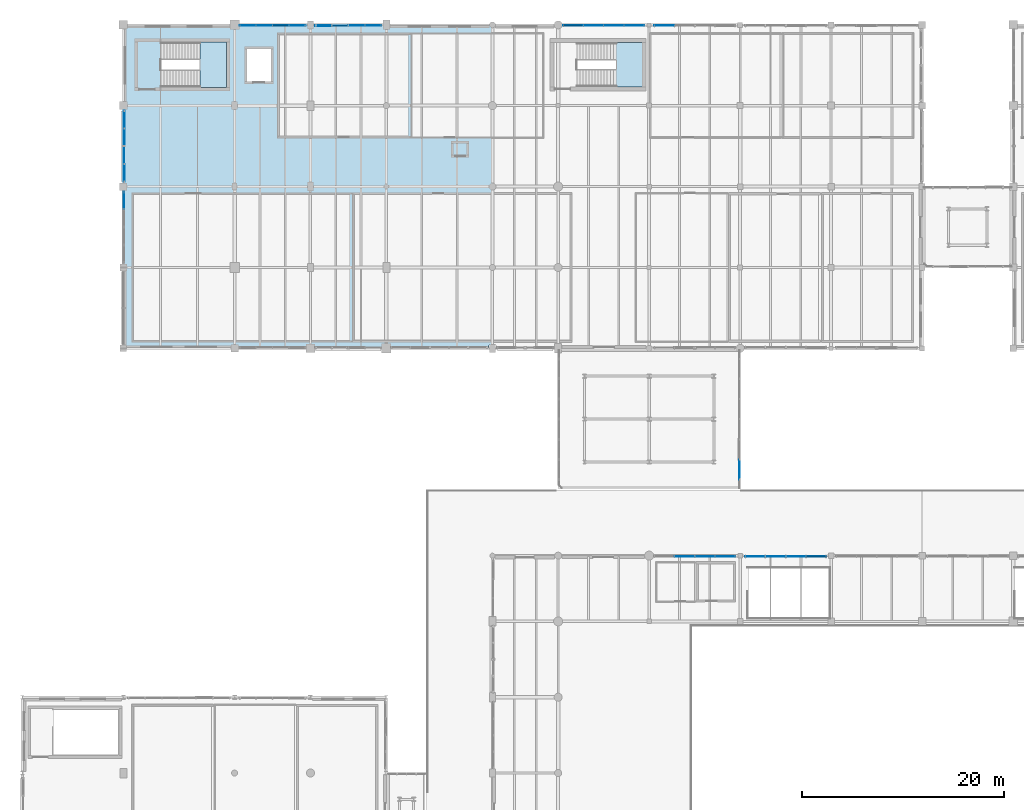
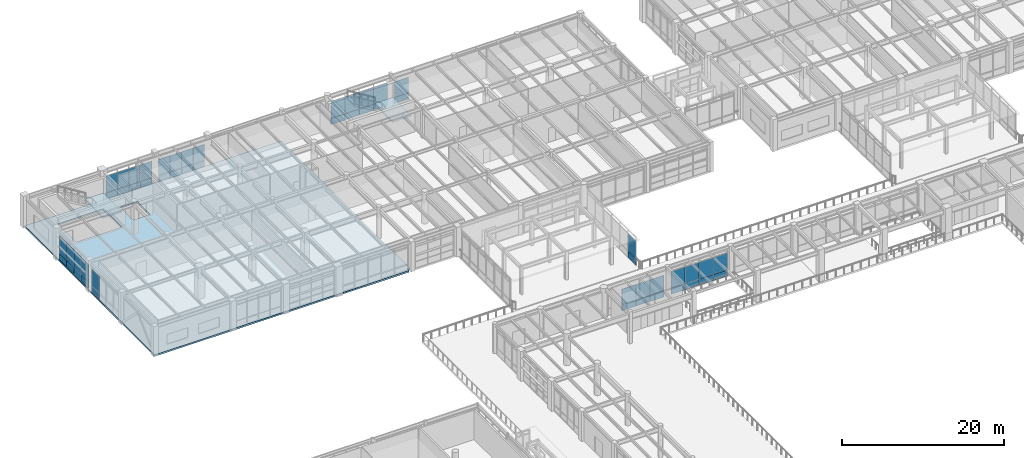
# One storey, part 159 of 200: 52 plates, 3 slabs, 11 elements without a shape of their own.
"""IFC4 building model written with IfcOpenShell, lengths in metres."""

import ifcopenshell
import ifcopenshell.guid

model = None  # the IFC model being written
_history = None  # IfcOwnerHistory: only IFC2X3 demands one
_inside = {}  # id of a spatial element -> (the spatial element, [elements in it])
_under = {}  # id of a project, library or spatial element -> (it, [spatial elements below it])
_declared = {}  # id of a project -> (the project, [libraries it declares])
_typed = {}  # id of a type object -> (the type object, [elements of that type])
_made_of = {}  # id of a material, layer set ... -> (it, [elements and type objects made of it])


def new_model(schema):
    """Start an empty IFC model of exactly this schema.

    Asked for "IFC4X3", IfcOpenShell would pick the latest addendum, in which some entities
    have other attributes; the version numbers below select the first issue.
    IFC2X3 requires an IfcOwnerHistory on every rooted entity: one is made here for all.
    """
    global model, _history
    if schema == "IFC4X3":
        model = ifcopenshell.file(schema_version=(4, 3, 0, 0))
    else:
        model = ifcopenshell.file(schema=schema)
    _inside.clear()
    _under.clear()
    _declared.clear()
    _typed.clear()
    _made_of.clear()
    _history = None
    if model.schema == "IFC2X3":
        org = make("IfcOrganization", Name="unknown")
        user = make(
            "IfcPersonAndOrganization",
            ThePerson=make("IfcPerson", FamilyName="unknown"),
            TheOrganization=org,
        )
        app = make(
            "IfcApplication",
            ApplicationDeveloper=org,
            Version="unknown",
            ApplicationFullName="unknown",
            ApplicationIdentifier="unknown",
        )
        _history = make(
            "IfcOwnerHistory",
            OwningUser=user,
            OwningApplication=app,
            ChangeAction="ADDED",
            CreationDate=0,
        )
    return model


def make(cls, **values):
    """One entity of the class cls with the attributes given. An attribute that is None is left unset."""
    return model.create_entity(
        cls, **{name: value for name, value in values.items() if value is not None}
    )


def rooted(cls, **values):
    """An entity with a GlobalId (a new one), such as an element, a storey or a relation."""
    return make(cls, GlobalId=ifcopenshell.guid.new(), OwnerHistory=_history, **values)


def si_unit(unit_type, name, prefix=None):
    """IfcSIUnit, for example si_unit("LENGTHUNIT", "METRE", prefix="MILLI")."""
    return make("IfcSIUnit", UnitType=unit_type, Prefix=prefix, Name=name)


def assignment(units):
    """IfcUnitAssignment: the units of a project."""
    return None if units is None else make("IfcUnitAssignment", Units=units)


def point(xyz):
    """IfcCartesianPoint."""
    return None if xyz is None else make("IfcCartesianPoint", Coordinates=xyz)


def direction(xyz):
    """IfcDirection."""
    return None if xyz is None else make("IfcDirection", DirectionRatios=xyz)


def frame(location, z_axis=None, x_axis=None):
    """IfcAxis2Placement3D, a coordinate frame: its origin and axes. An axis left out is left unset."""
    return make(
        "IfcAxis2Placement3D",
        Location=point(location),
        Axis=direction(z_axis),
        RefDirection=direction(x_axis),
    )


def frame_2d(location, x_axis=None):
    """IfcAxis2Placement2D, a coordinate frame in the plane: its origin and x axis."""
    return make(
        "IfcAxis2Placement2D", Location=point(location), RefDirection=direction(x_axis)
    )


def origin():
    """The frame at (0, 0, 0) with its axes left unset."""
    return frame((0.0, 0.0, 0.0))


def origin_2d():
    """The frame at (0, 0) in the plane with its x axis left unset."""
    return frame_2d((0.0, 0.0))


def place(relative_to, where):
    """IfcLocalPlacement: puts the frame where relative to a parent placement (None: the world)."""
    return make(
        "IfcLocalPlacement", PlacementRelTo=relative_to, RelativePlacement=where
    )


def context(
    kind, dimensions, precision=None, world=None, true_north=None, identifier=None
):
    """IfcGeometricRepresentationContext, for example the 3D "Model" context."""
    return make(
        "IfcGeometricRepresentationContext",
        ContextIdentifier=identifier,
        ContextType=kind,
        CoordinateSpaceDimension=dimensions,
        Precision=precision,
        WorldCoordinateSystem=world,
        TrueNorth=true_north,
    )


def subcontext(parent, identifier, kind, view, scale=None):
    """IfcGeometricRepresentationSubContext, for example "Body" below "Model"."""
    return make(
        "IfcGeometricRepresentationSubContext",
        ContextIdentifier=identifier,
        ContextType=kind,
        ParentContext=parent,
        TargetScale=scale,
        TargetView=view,
    )


def project(units=None, contexts=None):
    """IfcProject with its units and contexts."""
    return rooted(
        "IfcProject",
        Name="project",
        RepresentationContexts=contexts,
        UnitsInContext=assignment(units),
    )


def spatial(cls, under=None, at=None, **own):
    """A site, building, storey or space (cls), placed at a placement, below another one or the project."""
    s = rooted(cls, ObjectPlacement=at, **own)
    if under is not None:
        _under.setdefault(under.id(), (under, []))[1].append(s)
    return s


def polyline(points):
    """IfcPolyline through the points."""
    return make("IfcPolyline", Points=[point(p) for p in points])


def profile(cls, at=None, kind="AREA", **sizes):
    """A parametric profile (cls). Its sizes go by their IFC names, for example OverallWidth=200.0."""
    return make(cls, ProfileType=kind, Position=at, **sizes)


def rectangle(**sizes):
    """IfcRectangleProfileDef."""
    return profile("IfcRectangleProfileDef", **sizes)


def outline(outer, holes=None, kind="AREA"):
    """IfcArbitraryClosedProfileDef: a profile drawn as a closed curve; with holes, ...WithVoids."""
    if holes is None:
        return make("IfcArbitraryClosedProfileDef", ProfileType=kind, OuterCurve=outer)
    return make(
        "IfcArbitraryProfileDefWithVoids",
        ProfileType=kind,
        OuterCurve=outer,
        InnerCurves=holes,
    )


def extrude(swept, where, along, depth):
    """IfcExtrudedAreaSolid: the profile swept, set in the frame where, extruded along a direction by depth."""
    return make(
        "IfcExtrudedAreaSolid",
        SweptArea=swept,
        Position=where,
        ExtrudedDirection=direction(along),
        Depth=depth,
    )


def shape(context_of_items, identifier, shape_type, items):
    """IfcShapeRepresentation: the items that make up one representation, for example the "Body"."""
    return make(
        "IfcShapeRepresentation",
        ContextOfItems=context_of_items,
        RepresentationIdentifier=identifier,
        RepresentationType=shape_type,
        Items=items,
    )


def material(Name=None, Category=None):
    """IfcMaterial."""
    return make("IfcMaterial", Name=Name, Category=Category)


def layer(
    of_material, thickness, ventilated=None, Name=None, Category=None, Priority=None
):
    """IfcMaterialLayer: one layer of a wall or slab, of a material (None: an air gap)."""
    return make(
        "IfcMaterialLayer",
        Material=of_material,
        LayerThickness=thickness,
        IsVentilated=ventilated,
        Name=Name,
        Category=Category,
        Priority=Priority,
    )


def layer_set(layers, Name=None):
    """IfcMaterialLayerSet."""
    return make("IfcMaterialLayerSet", MaterialLayers=layers, LayerSetName=Name)


def made_of(thing, what):
    """Note that an element or type object is made of a material, layer set ...; save() writes the relation."""
    if what is not None:
        _made_of.setdefault(what.id(), (what, []))[1].append(thing)
    return thing


def type_object(cls, material=None, **own):
    """A type object (cls), such as IfcWallType, which elements share."""
    return made_of(rooted(cls, **own), material)


def element(
    cls,
    number,
    at=None,
    inside=None,
    cuts=None,
    type_object=None,
    material=None,
    context=None,
    identifier="Body",
    shape_type=None,
    held_by="IfcProductDefinitionShape",
    body=None,
    shapes=None,
    **own,
):
    """One element of the class cls, such as IfcWall. Its Tag is "e" and its number.

    at: its placement. inside: the storey or other place that contains it. cuts: it is an
    opening in that element (IfcRelVoidsElement). A single representation is given by context,
    identifier, shape_type and body (its items); several are given by shapes. held_by: the class
    of the entity that holds the representations. save() writes the other relations.
    """
    e = rooted(cls, Tag="e%d" % number, ObjectPlacement=at, **own)
    if body is not None:
        shapes = [shape(context, identifier, shape_type, body)]
    if shapes is not None:
        e.Representation = make(held_by, Representations=shapes)
    if inside is not None:
        _inside.setdefault(inside.id(), (inside, []))[1].append(e)
    if cuts is not None:
        rooted(
            "IfcRelVoidsElement", RelatingBuildingElement=cuts, RelatedOpeningElement=e
        )
    if type_object is not None:
        _typed.setdefault(type_object.id(), (type_object, []))[1].append(e)
    return made_of(e, material)


def aggregate(whole, parts):
    """IfcRelAggregates: a whole, such as a stair, and the parts it consists of."""
    return rooted("IfcRelAggregates", RelatingObject=whole, RelatedObjects=parts)


def save(model, path):
    """Write the relations noted so far, then the file.

    IfcRelAggregates (storeys below a building ...), IfcRelContainedInSpatialStructure (elements
    in a storey), IfcRelDefinesByType, IfcRelAssociatesMaterial and IfcRelDeclares: one each for
    every whole, place, type object, material and project.
    """
    for whole, parts in _under.values():
        aggregate(whole, parts)
    for where, things in _inside.values():
        rooted(
            "IfcRelContainedInSpatialStructure",
            RelatedElements=things,
            RelatingStructure=where,
        )
    for kind, things in _typed.values():
        rooted("IfcRelDefinesByType", RelatedObjects=things, RelatingType=kind)
    for what, things in _made_of.values():
        rooted("IfcRelAssociatesMaterial", RelatedObjects=things, RelatingMaterial=what)
    for by, libraries in _declared.values():
        rooted("IfcRelDeclares", RelatingContext=by, RelatedDefinitions=libraries)
    model.write(path)


model = new_model("IFC4")

# Units and contexts
model_context = context("Model", 3, precision=1e-05, world=origin(), true_north=direction((0.0, 1.0)))
body_context = subcontext(model_context, "Body", "Model", "MODEL_VIEW")
ifc_project = project(units=[si_unit("LENGTHUNIT", "METRE"), si_unit("AREAUNIT", "SQUARE_METRE"), si_unit("VOLUMEUNIT", "CUBIC_METRE"), si_unit("PLANEANGLEUNIT", "RADIAN"), si_unit("MASSUNIT", "GRAM", prefix="KILO"), si_unit("THERMODYNAMICTEMPERATUREUNIT", "KELVIN"), si_unit("POWERUNIT", "WATT")], contexts=[model_context])

# Site, building, storey
site_placement = place(None, origin())
site = spatial("IfcSite", under=ifc_project, at=site_placement, CompositionType="ELEMENT")
building_placement = place(site_placement, origin())
building = spatial("IfcBuilding", under=site, at=building_placement, Name="Tepalcoro Natatorium and Aquatics Centre", CompositionType="ELEMENT")
storey_placement = place(building_placement, frame((0.0, 0.0, 5.39990234375)))
storey = spatial("IfcBuildingStorey", under=building, at=storey_placement, Name="L01", CompositionType="ELEMENT", Elevation=5.39990234375)

# Curtain wall, plate
ifc_material_1 = material(Name="Bronze-Anodised Extruded Aluminium Alloy EN AW-6063 T6", Category="aluminium")
curtain_wall_type_1 = type_object("IfcCurtainWallType", Name="CW_LEAN_T2_NS", PredefinedType="USERDEFINED", material=ifc_material_1)
curtain_wall_1_placement = place(storey_placement, origin())
curtain_wall_1 = element("IfcCurtainWall", 1, at=curtain_wall_1_placement, inside=storey, type_object=curtain_wall_type_1, Name="V1 L01 N Unitised Curtain Wall Bay 3", ObjectType="FACETED SOLAR GLAZING", PredefinedType="USERDEFINED")
ifc_material_2 = material(Name="Solar-Control Bronze Tempered Low-E Double Glazing", Category="glass")
ifc_layer_1 = layer(ifc_material_2, 0.048095703125)
ifc_layer_set_1 = layer_set([ifc_layer_1], Name="Solar-Control Bronze Tempered Low-E Double Glazing")
plate_type_1 = type_object("IfcPlateType", Name="PL_ACOUSTIC_IGU_48", PredefinedType="CURTAIN_PANEL", material=ifc_layer_set_1)
plate_1_placement = place(storey_placement, frame((65.4951171875, 65.419921875, 0.9599609375), z_axis=(0.0, 0.0, 1.0), x_axis=(1.0, 0.0, 0.0)))
plate_1 = element("IfcPlate", 2, at=plate_1_placement, type_object=plate_type_1, Name="CW_LEAN_T2_NS Insulated Glazing Unit", PredefinedType="CURTAIN_PANEL", context=body_context, shape_type="SweptSolid", body=[
    extrude(rectangle(XDim=1.989990234375, YDim=0.048095703125, at=origin_2d()), origin(), (0.0, 0.0, 1.0), 2.318115234375),
])

# Curtain wall, plates
curtain_wall_type_2 = type_object("IfcCurtainWallType", Name="CW_LEAN_T2_EW", PredefinedType="USERDEFINED", material=ifc_material_1)
curtain_wall_2_placement = place(storey_placement, origin())
curtain_wall_2 = element("IfcCurtainWall", 3, at=curtain_wall_2_placement, inside=storey, type_object=curtain_wall_type_2, Name="V1 L01 N Unitised Curtain Wall Bay 4", ObjectType="FACETED SOLAR GLAZING", PredefinedType="USERDEFINED")
plate_2_placement = place(storey_placement, frame((72.485107421875, 65.419921875, 0.9599609375), z_axis=(0.0, 0.0, 1.0), x_axis=(1.0, 0.0, 0.0)))
plate_2 = element("IfcPlate", 4, at=plate_2_placement, type_object=plate_type_1, Name="CW_LEAN_T2_EW Insulated Glazing Unit", PredefinedType="CURTAIN_PANEL", context=body_context, shape_type="SweptSolid", body=[
    extrude(rectangle(XDim=1.989990234375, YDim=0.048095703125, at=origin_2d()), origin(), (0.0, 0.0, 1.0), 2.51708984375),
])
plate_3_placement = place(storey_placement, frame((78.514892578125, 65.419921875, 0.9599609375), z_axis=(0.0, 0.0, 1.0), x_axis=(1.0, 0.0, 0.0)))
plate_3 = element("IfcPlate", 5, at=plate_3_placement, type_object=plate_type_1, Name="CW_LEAN_T2_EW Insulated Glazing Unit", PredefinedType="CURTAIN_PANEL", context=body_context, shape_type="SweptSolid", body=[
    extrude(rectangle(XDim=1.989990234375, YDim=0.048095703125, at=origin_2d()), origin(), (0.0, 0.0, 1.0), 2.51708984375),
])

# Curtain wall, plate
curtain_wall_type_3 = type_object("IfcCurtainWallType", Name="CW_LEAN_T1_EW", PredefinedType="USERDEFINED", material=ifc_material_1)
curtain_wall_3_placement = place(storey_placement, origin())
curtain_wall_3 = element("IfcCurtainWall", 6, at=curtain_wall_3_placement, inside=storey, type_object=curtain_wall_type_3, Name="V4 L01 N Unitised Curtain Wall Bay 2", ObjectType="FACETED SOLAR GLAZING", PredefinedType="USERDEFINED")
plate_4_placement = place(storey_placement, frame((23.9326171875, 117.9287109375, 0.9599609375), z_axis=(0.0, 0.0, 1.0), x_axis=(1.0, 0.0, 0.0)))
plate_4 = element("IfcPlate", 7, at=plate_4_placement, type_object=plate_type_1, Name="CW_LEAN_T1_EW Insulated Glazing Unit", PredefinedType="CURTAIN_PANEL", context=body_context, shape_type="SweptSolid", body=[
    extrude(rectangle(XDim=1.614990234375, YDim=0.048095703125, at=origin_2d()), origin(), (0.0, 0.0, 1.0), 2.493896484375),
])

# Curtain wall, plates
curtain_wall_4_placement = place(storey_placement, origin())
curtain_wall_4 = element("IfcCurtainWall", 8, at=curtain_wall_4_placement, inside=storey, type_object=curtain_wall_type_1, Name="V4 L01 N Unitised Curtain Wall Bay 3", ObjectType="FACETED SOLAR GLAZING", PredefinedType="USERDEFINED")
plate_5_placement = place(storey_placement, frame((29.797607421875, 117.919921875, 0.960205078125), z_axis=(0.0, 0.0, 1.0), x_axis=(1.0, 0.0, 0.0)))
plate_5 = element("IfcPlate", 9, at=plate_5_placement, type_object=plate_type_1, Name="CW_LEAN_T2_NS Insulated Glazing Unit", PredefinedType="CURTAIN_PANEL", context=body_context, shape_type="SweptSolid", body=[
    extrude(rectangle(XDim=1.614990234375, YDim=0.048095703125, at=origin_2d()), origin(), (0.0, 0.0, 1.0), 2.41796875),
])
plate_6_placement = place(storey_placement, frame((34.702392578125, 117.919921875, 0.960205078125), z_axis=(0.0, 0.0, 1.0), x_axis=(1.0, 0.0, 0.0)))
plate_6 = element("IfcPlate", 10, at=plate_6_placement, type_object=plate_type_1, Name="CW_LEAN_T2_NS Insulated Glazing Unit", PredefinedType="CURTAIN_PANEL", context=body_context, shape_type="SweptSolid", body=[
    extrude(rectangle(XDim=1.614990234375, YDim=0.048095703125, at=origin_2d()), origin(), (0.0, 0.0, 1.0), 2.41796875),
])

# Curtain wall, plate
curtain_wall_type_4 = type_object("IfcCurtainWallType", Name="CW_V2_DIVING", PredefinedType="USERDEFINED", material=ifc_material_1)
curtain_wall_5_placement = place(storey_placement, origin())
curtain_wall_5 = element("IfcCurtainWall", 11, at=curtain_wall_5_placement, inside=storey, type_object=curtain_wall_type_4, Name="V4 L01 N Unitised Curtain Wall Bay 6", ObjectType="FACETED SOLAR GLAZING", PredefinedType="USERDEFINED")
plate_7_placement = place(storey_placement, frame((58.5048828125, 117.93505859375, 0.9599609375), z_axis=(0.0, 0.0, 1.0), x_axis=(1.0, 0.0, 0.0)))
plate_7 = element("IfcPlate", 12, at=plate_7_placement, type_object=plate_type_1, Name="CW_V2_DIVING Insulated Glazing Unit", PredefinedType="CURTAIN_PANEL", context=body_context, shape_type="SweptSolid", body=[
    extrude(rectangle(XDim=1.989990234375, YDim=0.048095703125, at=origin_2d()), origin(), (0.0, 0.0, 1.0), 2.493896484375),
])

curtain_wall_type_5 = type_object("IfcCurtainWallType", Name="CW_LEAN_T1_NS", PredefinedType="USERDEFINED", material=ifc_material_1)
curtain_wall_6_placement = place(storey_placement, origin())
curtain_wall_6 = element("IfcCurtainWall", 13, at=curtain_wall_6_placement, inside=storey, type_object=curtain_wall_type_5, Name="V4 L01 W Unitised Curtain Wall Bay 2", ObjectType="FACETED SOLAR GLAZING", PredefinedType="USERDEFINED")
plate_8_placement = place(storey_placement, frame((10.06494140625, 100.639892578125, 0.960205078125), z_axis=(0.0, 0.0, 1.0), x_axis=(1.0, 0.0, 0.0)))
plate_8 = element("IfcPlate", 14, at=plate_8_placement, type_object=plate_type_1, Name="CW_LEAN_T1_NS Insulated Glazing Unit", PredefinedType="CURTAIN_PANEL", context=body_context, shape_type="SweptSolid", body=[
    extrude(rectangle(XDim=0.048095703125, YDim=1.739990234375, at=origin_2d()), origin(), (0.0, 0.0, 1.0), 2.41796875),
])

curtain_wall_7_placement = place(storey_placement, origin())
curtain_wall_7 = element("IfcCurtainWall", 15, at=curtain_wall_7_placement, inside=storey, type_object=curtain_wall_type_3, Name="V4 L01 W Unitised Curtain Wall Bay 3", ObjectType="FACETED SOLAR GLAZING", PredefinedType="USERDEFINED")
plate_9_placement = place(storey_placement, frame((10.080078125, 106.8798828125, 0.9599609375), z_axis=(0.0, 0.0, 1.0), x_axis=(1.0, 0.0, 0.0)))
plate_9 = element("IfcPlate", 16, at=plate_9_placement, type_object=plate_type_1, Name="CW_LEAN_T1_EW Insulated Glazing Unit", PredefinedType="CURTAIN_PANEL", context=body_context, shape_type="SweptSolid", body=[
    extrude(rectangle(XDim=0.048095703125, YDim=1.739990234375, at=origin_2d()), origin(), (0.0, 0.0, 1.0), 2.616943359375),
])

# Plate
ifc_layer_2 = layer(ifc_material_2, 0.028076171875)
ifc_layer_set_2 = layer_set([ifc_layer_2], Name="Solar-Control Bronze Tempered Low-E Double Glazing")
plate_type_2 = type_object("IfcPlateType", Name="PL_BRONZE_IGU_28", PredefinedType="CURTAIN_PANEL", material=ifc_layer_set_2)
plate_10_placement = place(storey_placement, frame((69.514892578125, 65.419921875, 0.9599609375), z_axis=(0.0, 0.0, 1.0), x_axis=(1.0, 0.0, 0.0)))
plate_10 = element("IfcPlate", 17, at=plate_10_placement, type_object=plate_type_2, Name="CW_LEAN_T2_NS Insulated Glazing Unit", PredefinedType="CURTAIN_PANEL", context=body_context, shape_type="SweptSolid", body=[
    extrude(rectangle(XDim=1.989990234375, YDim=0.028076171875, at=origin_2d()), origin(), (0.0, 0.0, 1.0), 2.318115234375),
])

plate_11_placement = place(storey_placement, frame((76.5048828125, 65.419921875, 0.9599609375), z_axis=(0.0, 0.0, 1.0), x_axis=(1.0, 0.0, 0.0)))
plate_11 = element("IfcPlate", 18, at=plate_11_placement, type_object=plate_type_2, Name="CW_LEAN_T2_EW Insulated Glazing Unit", PredefinedType="CURTAIN_PANEL", context=body_context, shape_type="SweptSolid", body=[
    extrude(rectangle(XDim=1.989990234375, YDim=0.028076171875, at=origin_2d()), origin(), (0.0, 0.0, 1.0), 2.51708984375),
])

plate_12_placement = place(storey_placement, frame((22.297607421875, 117.9287109375, 0.9599609375), z_axis=(0.0, 0.0, 1.0), x_axis=(1.0, 0.0, 0.0)))
plate_12 = element("IfcPlate", 19, at=plate_12_placement, type_object=plate_type_2, Name="CW_LEAN_T1_EW Insulated Glazing Unit", PredefinedType="CURTAIN_PANEL", context=body_context, shape_type="SweptSolid", body=[
    extrude(rectangle(XDim=1.614990234375, YDim=0.028076171875, at=origin_2d()), origin(), (0.0, 0.0, 1.0), 2.493896484375),
])

plate_13_placement = place(storey_placement, frame((27.202392578125, 117.9287109375, 0.9599609375), z_axis=(0.0, 0.0, 1.0), x_axis=(1.0, 0.0, 0.0)))
plate_13 = element("IfcPlate", 20, at=plate_13_placement, type_object=plate_type_2, Name="CW_LEAN_T1_EW Insulated Glazing Unit", PredefinedType="CURTAIN_PANEL", context=body_context, shape_type="SweptSolid", body=[
    extrude(rectangle(XDim=1.614990234375, YDim=0.028076171875, at=origin_2d()), origin(), (0.0, 0.0, 1.0), 2.493896484375),
])

plate_14_placement = place(storey_placement, frame((33.0673828125, 117.919921875, 0.960205078125), z_axis=(0.0, 0.0, 1.0), x_axis=(1.0, 0.0, 0.0)))
plate_14 = element("IfcPlate", 21, at=plate_14_placement, type_object=plate_type_2, Name="CW_LEAN_T2_NS Insulated Glazing Unit", PredefinedType="CURTAIN_PANEL", context=body_context, shape_type="SweptSolid", body=[
    extrude(rectangle(XDim=1.614990234375, YDim=0.028076171875, at=origin_2d()), origin(), (0.0, 0.0, 1.0), 2.41796875),
])

plate_15_placement = place(storey_placement, frame((56.4951171875, 117.93505859375, 0.9599609375), z_axis=(0.0, 0.0, 1.0), x_axis=(1.0, 0.0, 0.0)))
plate_15 = element("IfcPlate", 22, at=plate_15_placement, type_object=plate_type_2, Name="CW_V2_DIVING Insulated Glazing Unit", PredefinedType="CURTAIN_PANEL", context=body_context, shape_type="SweptSolid", body=[
    extrude(rectangle(XDim=1.989990234375, YDim=0.028076171875, at=origin_2d()), origin(), (0.0, 0.0, 1.0), 2.493896484375),
])

# Curtain wall, plate
curtain_wall_type_6 = type_object("IfcCurtainWallType", Name="CW_V3_FOYER", PredefinedType="USERDEFINED", material=ifc_material_1)
curtain_wall_8_placement = place(storey_placement, origin())
curtain_wall_8 = element("IfcCurtainWall", 23, at=curtain_wall_8_placement, inside=storey, type_object=curtain_wall_type_6, Name="V4 L01 N Unitised Curtain Wall Bay 7", ObjectType="UNITISED STOREFRONT", PredefinedType="USERDEFINED")
plate_16_placement = place(storey_placement, frame((63.485107421875, 117.919921875, 0.960205078125), z_axis=(0.0, 0.0, 1.0), x_axis=(1.0, 0.0, 0.0)))
plate_16 = element("IfcPlate", 24, at=plate_16_placement, type_object=plate_type_2, Name="CW_V3_FOYER Insulated Glazing Unit", PredefinedType="CURTAIN_PANEL", context=body_context, shape_type="SweptSolid", body=[
    extrude(rectangle(XDim=1.989990234375, YDim=0.028076171875, at=origin_2d()), origin(), (0.0, 0.0, 1.0), 2.337890625),
])

# Plate
plate_17_placement = place(storey_placement, frame((10.080078125, 105.1201171875, 0.9599609375), z_axis=(0.0, 0.0, 1.0), x_axis=(1.0, 0.0, 0.0)))
plate_17 = element("IfcPlate", 25, at=plate_17_placement, type_object=plate_type_2, Name="CW_LEAN_T1_EW Insulated Glazing Unit", PredefinedType="CURTAIN_PANEL", context=body_context, shape_type="SweptSolid", body=[
    extrude(rectangle(XDim=0.028076171875, YDim=1.739990234375, at=origin_2d()), origin(), (0.0, 0.0, 1.0), 2.616943359375),
])

ifc_material_3 = material(Name="Jalisco Cantera Rosa Volcanic Tuff Ashlar Masonry", Category="masonry")
ifc_layer_3 = layer(ifc_material_3, 0.090087890625)
ifc_layer_set_3 = layer_set([ifc_layer_3], Name="Jalisco Cantera Rosa Volcanic Tuff Ashlar Masonry")
plate_type_3 = type_object("IfcPlateType", Name="PL_CANTERA_90", PredefinedType="SHEET", material=ifc_layer_set_3)
plate_18_placement = place(storey_placement, frame((69.514892578125, 65.419921875, 0.044921875), z_axis=(0.0, 0.0, 1.0), x_axis=(1.0, 0.0, 0.0)))
plate_18 = element("IfcPlate", 26, at=plate_18_placement, type_object=plate_type_3, Name="CW_LEAN_T2_NS Spandrel & Screen Panel", PredefinedType="SHEET", context=body_context, shape_type="SweptSolid", body=[
    extrude(rectangle(XDim=1.989990234375, YDim=0.090087890625, at=origin_2d()), origin(), (0.0, 0.0, 1.0), 0.909912109375),
])

plate_19_placement = place(storey_placement, frame((76.5048828125, 65.419921875, 0.044921875), z_axis=(0.0, 0.0, 1.0), x_axis=(1.0, 0.0, 0.0)))
plate_19 = element("IfcPlate", 27, at=plate_19_placement, type_object=plate_type_3, Name="CW_LEAN_T2_EW Spandrel & Screen Panel", PredefinedType="SHEET", context=body_context, shape_type="SweptSolid", body=[
    extrude(rectangle(XDim=1.989990234375, YDim=0.090087890625, at=origin_2d()), origin(), (0.0, 0.0, 1.0), 0.909912109375),
])

plate_20_placement = place(storey_placement, frame((23.9326171875, 117.9287109375, 0.044921875), z_axis=(0.0, 0.0, 1.0), x_axis=(1.0, 0.0, 0.0)))
plate_20 = element("IfcPlate", 28, at=plate_20_placement, type_object=plate_type_3, Name="CW_LEAN_T1_EW Spandrel & Screen Panel", PredefinedType="SHEET", context=body_context, shape_type="SweptSolid", body=[
    extrude(rectangle(XDim=1.614990234375, YDim=0.090087890625, at=origin_2d()), origin(), (0.0, 0.0, 1.0), 0.909912109375),
])

plate_21_placement = place(storey_placement, frame((29.797607421875, 117.919921875, 0.044921875), z_axis=(0.0, 0.0, 1.0), x_axis=(1.0, 0.0, 0.0)))
plate_21 = element("IfcPlate", 29, at=plate_21_placement, type_object=plate_type_3, Name="CW_LEAN_T2_NS Spandrel & Screen Panel", PredefinedType="SHEET", context=body_context, shape_type="SweptSolid", body=[
    extrude(rectangle(XDim=1.614990234375, YDim=0.090087890625, at=origin_2d()), origin(), (0.0, 0.0, 1.0), 0.909912109375),
])

plate_22_placement = place(storey_placement, frame((10.080078125, 108.639892578125, 0.044921875), z_axis=(0.0, 0.0, 1.0), x_axis=(1.0, 0.0, 0.0)))
plate_22 = element("IfcPlate", 30, at=plate_22_placement, type_object=plate_type_3, Name="CW_LEAN_T1_EW Spandrel & Screen Panel", PredefinedType="SHEET", context=body_context, shape_type="SweptSolid", body=[
    extrude(rectangle(XDim=0.090087890625, YDim=1.739990234375, at=origin_2d()), origin(), (0.0, 0.0, 1.0), 0.909912109375),
])

ifc_material_4 = material(Name="Clear Tempered Low-E Safety Glazing", Category="glass")
ifc_layer_4 = layer(ifc_material_4, 0.011962890625)
ifc_layer_set_4 = layer_set([ifc_layer_4], Name="Clear Tempered Low-E Safety Glazing")
plate_type_4 = type_object("IfcPlateType", Name="PL_GLASS_12", PredefinedType="CURTAIN_PANEL", material=ifc_layer_set_4)
plate_23_placement = place(storey_placement, frame((67.5048828125, 65.419921875, 0.9599609375), z_axis=(0.0, 0.0, 1.0), x_axis=(1.0, 0.0, 0.0)))
plate_23 = element("IfcPlate", 31, at=plate_23_placement, type_object=plate_type_4, Name="CW_LEAN_T2_NS Insulated Glazing Unit", PredefinedType="CURTAIN_PANEL", context=body_context, shape_type="SweptSolid", body=[
    extrude(rectangle(XDim=1.989990234375, YDim=0.011962890625, at=origin_2d()), origin(), (0.0, 0.0, 1.0), 2.318115234375),
])

plate_24_placement = place(storey_placement, frame((74.4951171875, 65.419921875, 0.9599609375), z_axis=(0.0, 0.0, 1.0), x_axis=(1.0, 0.0, 0.0)))
plate_24 = element("IfcPlate", 32, at=plate_24_placement, type_object=plate_type_4, Name="CW_LEAN_T2_EW Insulated Glazing Unit", PredefinedType="CURTAIN_PANEL", context=body_context, shape_type="SweptSolid", body=[
    extrude(rectangle(XDim=1.989990234375, YDim=0.011962890625, at=origin_2d()), origin(), (0.0, 0.0, 1.0), 2.51708984375),
])

plate_25_placement = place(storey_placement, frame((25.5673828125, 117.9287109375, 0.9599609375), z_axis=(0.0, 0.0, 1.0), x_axis=(1.0, 0.0, 0.0)))
plate_25 = element("IfcPlate", 33, at=plate_25_placement, type_object=plate_type_4, Name="CW_LEAN_T1_EW Insulated Glazing Unit", PredefinedType="CURTAIN_PANEL", context=body_context, shape_type="SweptSolid", body=[
    extrude(rectangle(XDim=1.614990234375, YDim=0.011962890625, at=origin_2d()), origin(), (0.0, 0.0, 1.0), 2.493896484375),
])

plate_26_placement = place(storey_placement, frame((31.4326171875, 117.919921875, 0.960205078125), z_axis=(0.0, 0.0, 1.0), x_axis=(1.0, 0.0, 0.0)))
plate_26 = element("IfcPlate", 34, at=plate_26_placement, type_object=plate_type_4, Name="CW_LEAN_T2_NS Insulated Glazing Unit", PredefinedType="CURTAIN_PANEL", context=body_context, shape_type="SweptSolid", body=[
    extrude(rectangle(XDim=1.614990234375, YDim=0.011962890625, at=origin_2d()), origin(), (0.0, 0.0, 1.0), 2.41796875),
])

plate_27_placement = place(storey_placement, frame((54.485107421875, 117.93505859375, 0.9599609375), z_axis=(0.0, 0.0, 1.0), x_axis=(1.0, 0.0, 0.0)))
plate_27 = element("IfcPlate", 35, at=plate_27_placement, type_object=plate_type_4, Name="CW_V2_DIVING Insulated Glazing Unit", PredefinedType="CURTAIN_PANEL", context=body_context, shape_type="SweptSolid", body=[
    extrude(rectangle(XDim=1.989990234375, YDim=0.011962890625, at=origin_2d()), origin(), (0.0, 0.0, 1.0), 2.493896484375),
])

plate_28_placement = place(storey_placement, frame((60.514892578125, 117.93505859375, 0.9599609375), z_axis=(0.0, 0.0, 1.0), x_axis=(1.0, 0.0, 0.0)))
plate_28 = element("IfcPlate", 36, at=plate_28_placement, type_object=plate_type_4, Name="CW_V2_DIVING Insulated Glazing Unit", PredefinedType="CURTAIN_PANEL", context=body_context, shape_type="SweptSolid", body=[
    extrude(rectangle(XDim=1.989990234375, YDim=0.011962890625, at=origin_2d()), origin(), (0.0, 0.0, 1.0), 2.493896484375),
])

plate_29_placement = place(storey_placement, frame((10.080078125, 103.360107421875, 0.9599609375), z_axis=(0.0, 0.0, 1.0), x_axis=(1.0, 0.0, 0.0)))
plate_29 = element("IfcPlate", 37, at=plate_29_placement, type_object=plate_type_4, Name="CW_LEAN_T1_EW Insulated Glazing Unit", PredefinedType="CURTAIN_PANEL", context=body_context, shape_type="SweptSolid", body=[
    extrude(rectangle(XDim=0.011962890625, YDim=1.739990234375, at=origin_2d()), origin(), (0.0, 0.0, 1.0), 2.616943359375),
])

plate_30_placement = place(storey_placement, frame((10.080078125, 108.639892578125, 0.9599609375), z_axis=(0.0, 0.0, 1.0), x_axis=(1.0, 0.0, 0.0)))
plate_30 = element("IfcPlate", 38, at=plate_30_placement, type_object=plate_type_4, Name="CW_LEAN_T1_EW Insulated Glazing Unit", PredefinedType="CURTAIN_PANEL", context=body_context, shape_type="SweptSolid", body=[
    extrude(rectangle(XDim=0.011962890625, YDim=1.739990234375, at=origin_2d()), origin(), (0.0, 0.0, 1.0), 2.616943359375),
])

# Curtain wall, plate
curtain_wall_type_7 = type_object("IfcCurtainWallType", Name="CW_LINK_150", PredefinedType="USERDEFINED", material=ifc_material_1)
curtain_wall_9_placement = place(storey_placement, origin())
curtain_wall_9 = element("IfcCurtainWall", 39, at=curtain_wall_9_placement, inside=storey, type_object=curtain_wall_type_7, Name="West Court Swimmers Arcade Glazed Wall E L01", ObjectType="UNITISED STOREFRONT", PredefinedType="USERDEFINED")
plate_31_placement = place(storey_placement, frame((70.919921875, 74.0, 0.9599609375), z_axis=(0.0, 0.0, 1.0), x_axis=(1.0, 0.0, 0.0)))
plate_31 = element("IfcPlate", 40, at=plate_31_placement, type_object=plate_type_4, Name="CW_LINK_150 Insulated Glazing Unit", PredefinedType="CURTAIN_PANEL", context=body_context, shape_type="SweptSolid", body=[
    extrude(rectangle(XDim=0.011962890625, YDim=1.97998046875, at=origin_2d()), origin(), (0.0, 0.0, 1.0), 2.679931640625),
])

# Plate
ifc_material_5 = material(Name="Volcanic Recinto Basalt Ashlar Masonry", Category="masonry")
ifc_layer_5 = layer(ifc_material_5, 0.110107421875)
ifc_layer_set_5 = layer_set([ifc_layer_5], Name="Volcanic Recinto Basalt Ashlar Masonry")
plate_type_5 = type_object("IfcPlateType", Name="PL_RECINTO_110", PredefinedType="SHEET", material=ifc_layer_set_5)
plate_32_placement = place(storey_placement, frame((78.514892578125, 65.419921875, 0.044921875), z_axis=(0.0, 0.0, 1.0), x_axis=(1.0, 0.0, 0.0)))
plate_32 = element("IfcPlate", 41, at=plate_32_placement, type_object=plate_type_5, Name="CW_LEAN_T2_EW Spandrel & Screen Panel", PredefinedType="SHEET", context=body_context, shape_type="SweptSolid", body=[
    extrude(rectangle(XDim=1.989990234375, YDim=0.110107421875, at=origin_2d()), origin(), (0.0, 0.0, 1.0), 0.909912109375),
])

plate_33_placement = place(storey_placement, frame((25.5673828125, 117.9287109375, 0.044921875), z_axis=(0.0, 0.0, 1.0), x_axis=(1.0, 0.0, 0.0)))
plate_33 = element("IfcPlate", 42, at=plate_33_placement, type_object=plate_type_5, Name="CW_LEAN_T1_EW Spandrel & Screen Panel", PredefinedType="SHEET", context=body_context, shape_type="SweptSolid", body=[
    extrude(rectangle(XDim=1.614990234375, YDim=0.110107421875, at=origin_2d()), origin(), (0.0, 0.0, 1.0), 0.909912109375),
])

plate_34_placement = place(storey_placement, frame((31.4326171875, 117.919921875, 0.044921875), z_axis=(0.0, 0.0, 1.0), x_axis=(1.0, 0.0, 0.0)))
plate_34 = element("IfcPlate", 43, at=plate_34_placement, type_object=plate_type_5, Name="CW_LEAN_T2_NS Spandrel & Screen Panel", PredefinedType="SHEET", context=body_context, shape_type="SweptSolid", body=[
    extrude(rectangle(XDim=1.614990234375, YDim=0.110107421875, at=origin_2d()), origin(), (0.0, 0.0, 1.0), 0.909912109375),
])

plate_35_placement = place(storey_placement, frame((54.485107421875, 117.93505859375, 0.044921875), z_axis=(0.0, 0.0, 1.0), x_axis=(1.0, 0.0, 0.0)))
plate_35 = element("IfcPlate", 44, at=plate_35_placement, type_object=plate_type_5, Name="CW_V2_DIVING Spandrel & Screen Panel", PredefinedType="SHEET", context=body_context, shape_type="SweptSolid", body=[
    extrude(rectangle(XDim=1.989990234375, YDim=0.110107421875, at=origin_2d()), origin(), (0.0, 0.0, 1.0), 0.909912109375),
])

ifc_layer_6 = layer(ifc_material_1, 0.050048828125)
ifc_layer_set_6 = layer_set([ifc_layer_6], Name="Bronze-Anodised Extruded Aluminium Alloy EN AW-6063 T6")
plate_type_6 = type_object("IfcPlateType", Name="PL_SCREEN_50", PredefinedType="SHEET", material=ifc_layer_set_6)
plate_36_placement = place(storey_placement, frame((65.4951171875, 65.419921875, 0.044921875), z_axis=(0.0, 0.0, 1.0), x_axis=(1.0, 0.0, 0.0)))
plate_36 = element("IfcPlate", 45, at=plate_36_placement, type_object=plate_type_6, Name="CW_LEAN_T2_NS Spandrel & Screen Panel", PredefinedType="SHEET", context=body_context, shape_type="SweptSolid", body=[
    extrude(rectangle(XDim=1.989990234375, YDim=0.050048828125, at=origin_2d()), origin(), (0.0, 0.0, 1.0), 0.909912109375),
])

plate_37_placement = place(storey_placement, frame((72.485107421875, 65.419921875, 0.044921875), z_axis=(0.0, 0.0, 1.0), x_axis=(1.0, 0.0, 0.0)))
plate_37 = element("IfcPlate", 46, at=plate_37_placement, type_object=plate_type_6, Name="CW_LEAN_T2_EW Spandrel & Screen Panel", PredefinedType="SHEET", context=body_context, shape_type="SweptSolid", body=[
    extrude(rectangle(XDim=1.989990234375, YDim=0.050048828125, at=origin_2d()), origin(), (0.0, 0.0, 1.0), 0.909912109375),
])

plate_38_placement = place(storey_placement, frame((34.702392578125, 117.919921875, 0.044921875), z_axis=(0.0, 0.0, 1.0), x_axis=(1.0, 0.0, 0.0)))
plate_38 = element("IfcPlate", 47, at=plate_38_placement, type_object=plate_type_6, Name="CW_LEAN_T2_NS Spandrel & Screen Panel", PredefinedType="SHEET", context=body_context, shape_type="SweptSolid", body=[
    extrude(rectangle(XDim=1.614990234375, YDim=0.050048828125, at=origin_2d()), origin(), (0.0, 0.0, 1.0), 0.909912109375),
])

plate_39_placement = place(storey_placement, frame((58.5048828125, 117.93505859375, 0.044921875), z_axis=(0.0, 0.0, 1.0), x_axis=(1.0, 0.0, 0.0)))
plate_39 = element("IfcPlate", 48, at=plate_39_placement, type_object=plate_type_6, Name="CW_V2_DIVING Spandrel & Screen Panel", PredefinedType="SHEET", context=body_context, shape_type="SweptSolid", body=[
    extrude(rectangle(XDim=1.989990234375, YDim=0.050048828125, at=origin_2d()), origin(), (0.0, 0.0, 1.0), 0.909912109375),
])

plate_40_placement = place(storey_placement, frame((10.080078125, 105.1201171875, 0.044921875), z_axis=(0.0, 0.0, 1.0), x_axis=(1.0, 0.0, 0.0)))
plate_40 = element("IfcPlate", 49, at=plate_40_placement, type_object=plate_type_6, Name="CW_LEAN_T1_EW Spandrel & Screen Panel", PredefinedType="SHEET", context=body_context, shape_type="SweptSolid", body=[
    extrude(rectangle(XDim=0.050048828125, YDim=1.739990234375, at=origin_2d()), origin(), (0.0, 0.0, 1.0), 0.909912109375),
])

ifc_layer_7 = layer(ifc_material_1, 0.06005859375)
ifc_layer_set_7 = layer_set([ifc_layer_7], Name="Bronze-Anodised Extruded Aluminium Alloy EN AW-6063 T6")
plate_type_7 = type_object("IfcPlateType", Name="PL_SCREEN_60", PredefinedType="SHEET", material=ifc_layer_set_7)
plate_41_placement = place(storey_placement, frame((67.5048828125, 65.419921875, 0.044921875), z_axis=(0.0, 0.0, 1.0), x_axis=(1.0, 0.0, 0.0)))
plate_41 = element("IfcPlate", 50, at=plate_41_placement, type_object=plate_type_7, Name="CW_LEAN_T2_NS Spandrel & Screen Panel", PredefinedType="SHEET", context=body_context, shape_type="SweptSolid", body=[
    extrude(rectangle(XDim=1.989990234375, YDim=0.06005859375, at=origin_2d()), origin(), (0.0, 0.0, 1.0), 0.909912109375),
])

aggregate(curtain_wall_1, [plate_1, plate_36, plate_23, plate_41, plate_10, plate_18])

plate_42_placement = place(storey_placement, frame((74.4951171875, 65.419921875, 0.044921875), z_axis=(0.0, 0.0, 1.0), x_axis=(1.0, 0.0, 0.0)))
plate_42 = element("IfcPlate", 51, at=plate_42_placement, type_object=plate_type_7, Name="CW_LEAN_T2_EW Spandrel & Screen Panel", PredefinedType="SHEET", context=body_context, shape_type="SweptSolid", body=[
    extrude(rectangle(XDim=1.989990234375, YDim=0.06005859375, at=origin_2d()), origin(), (0.0, 0.0, 1.0), 0.909912109375),
])

aggregate(curtain_wall_2, [plate_2, plate_37, plate_24, plate_42, plate_11, plate_19, plate_3, plate_32])

plate_43_placement = place(storey_placement, frame((22.297607421875, 117.9287109375, 0.044921875), z_axis=(0.0, 0.0, 1.0), x_axis=(1.0, 0.0, 0.0)))
plate_43 = element("IfcPlate", 52, at=plate_43_placement, type_object=plate_type_7, Name="CW_LEAN_T1_EW Spandrel & Screen Panel", PredefinedType="SHEET", context=body_context, shape_type="SweptSolid", body=[
    extrude(rectangle(XDim=1.614990234375, YDim=0.06005859375, at=origin_2d()), origin(), (0.0, 0.0, 1.0), 0.909912109375),
])

plate_44_placement = place(storey_placement, frame((60.514892578125, 117.93505859375, 0.044921875), z_axis=(0.0, 0.0, 1.0), x_axis=(1.0, 0.0, 0.0)))
plate_44 = element("IfcPlate", 53, at=plate_44_placement, type_object=plate_type_7, Name="CW_V2_DIVING Spandrel & Screen Panel", PredefinedType="SHEET", context=body_context, shape_type="SweptSolid", body=[
    extrude(rectangle(XDim=1.989990234375, YDim=0.06005859375, at=origin_2d()), origin(), (0.0, 0.0, 1.0), 0.909912109375),
])

plate_45_placement = place(storey_placement, frame((10.06494140625, 100.639892578125, 0.044921875), z_axis=(0.0, 0.0, 1.0), x_axis=(1.0, 0.0, 0.0)))
plate_45 = element("IfcPlate", 54, at=plate_45_placement, type_object=plate_type_7, Name="CW_LEAN_T1_NS Spandrel & Screen Panel", PredefinedType="SHEET", context=body_context, shape_type="SweptSolid", body=[
    extrude(rectangle(XDim=0.06005859375, YDim=1.739990234375, at=origin_2d()), origin(), (0.0, 0.0, 1.0), 0.909912109375),
])

aggregate(curtain_wall_6, [plate_8, plate_45])

plate_46_placement = place(storey_placement, frame((10.080078125, 106.8798828125, 0.044921875), z_axis=(0.0, 0.0, 1.0), x_axis=(1.0, 0.0, 0.0)))
plate_46 = element("IfcPlate", 55, at=plate_46_placement, type_object=plate_type_7, Name="CW_LEAN_T1_EW Spandrel & Screen Panel", PredefinedType="SHEET", context=body_context, shape_type="SweptSolid", body=[
    extrude(rectangle(XDim=0.06005859375, YDim=1.739990234375, at=origin_2d()), origin(), (0.0, 0.0, 1.0), 0.909912109375),
])

plate_47_placement = place(storey_placement, frame((70.919921875, 74.0, 0.044921875), z_axis=(0.0, 0.0, 1.0), x_axis=(1.0, 0.0, 0.0)))
plate_47 = element("IfcPlate", 56, at=plate_47_placement, type_object=plate_type_7, Name="CW_LINK_150 Spandrel & Screen Panel", PredefinedType="SHEET", context=body_context, shape_type="SweptSolid", body=[
    extrude(rectangle(XDim=0.06005859375, YDim=1.97998046875, at=origin_2d()), origin(), (0.0, 0.0, 1.0), 0.909912109375),
])

aggregate(curtain_wall_9, [plate_31, plate_47])

ifc_material_6 = material(Name="Insulated Bronze Anodised Aluminium Spandrel Panel", Category="aluminium")
ifc_layer_8 = layer(ifc_material_6, 0.070068359375)
ifc_layer_set_8 = layer_set([ifc_layer_8], Name="Insulated Bronze Anodised Aluminium Spandrel Panel")
plate_type_8 = type_object("IfcPlateType", Name="PL_SPANDREL_70", PredefinedType="CURTAIN_PANEL", material=ifc_layer_set_8)
plate_48_placement = place(storey_placement, frame((27.202392578125, 117.9287109375, 0.044921875), z_axis=(0.0, 0.0, 1.0), x_axis=(1.0, 0.0, 0.0)))
plate_48 = element("IfcPlate", 57, at=plate_48_placement, type_object=plate_type_8, Name="CW_LEAN_T1_EW Spandrel & Screen Panel", PredefinedType="CURTAIN_PANEL", context=body_context, shape_type="SweptSolid", body=[
    extrude(rectangle(XDim=1.614990234375, YDim=0.070068359375, at=origin_2d()), origin(), (0.0, 0.0, 1.0), 0.909912109375),
])

aggregate(curtain_wall_3, [plate_12, plate_43, plate_4, plate_20, plate_25, plate_33, plate_13, plate_48])

plate_49_placement = place(storey_placement, frame((33.0673828125, 117.919921875, 0.044921875), z_axis=(0.0, 0.0, 1.0), x_axis=(1.0, 0.0, 0.0)))
plate_49 = element("IfcPlate", 58, at=plate_49_placement, type_object=plate_type_8, Name="CW_LEAN_T2_NS Spandrel & Screen Panel", PredefinedType="CURTAIN_PANEL", context=body_context, shape_type="SweptSolid", body=[
    extrude(rectangle(XDim=1.614990234375, YDim=0.070068359375, at=origin_2d()), origin(), (0.0, 0.0, 1.0), 0.909912109375),
])

aggregate(curtain_wall_4, [plate_5, plate_21, plate_26, plate_34, plate_14, plate_49, plate_6, plate_38])

plate_50_placement = place(storey_placement, frame((56.4951171875, 117.93505859375, 0.044921875), z_axis=(0.0, 0.0, 1.0), x_axis=(1.0, 0.0, 0.0)))
plate_50 = element("IfcPlate", 59, at=plate_50_placement, type_object=plate_type_8, Name="CW_V2_DIVING Spandrel & Screen Panel", PredefinedType="CURTAIN_PANEL", context=body_context, shape_type="SweptSolid", body=[
    extrude(rectangle(XDim=1.989990234375, YDim=0.070068359375, at=origin_2d()), origin(), (0.0, 0.0, 1.0), 0.909912109375),
])

aggregate(curtain_wall_5, [plate_27, plate_35, plate_15, plate_50, plate_7, plate_39, plate_28, plate_44])

plate_51_placement = place(storey_placement, frame((63.485107421875, 117.919921875, 0.044921875), z_axis=(0.0, 0.0, 1.0), x_axis=(1.0, 0.0, 0.0)))
plate_51 = element("IfcPlate", 60, at=plate_51_placement, type_object=plate_type_8, Name="CW_V3_FOYER Spandrel & Screen Panel", PredefinedType="CURTAIN_PANEL", context=body_context, shape_type="SweptSolid", body=[
    extrude(rectangle(XDim=1.989990234375, YDim=0.070068359375, at=origin_2d()), origin(), (0.0, 0.0, 1.0), 0.909912109375),
])

aggregate(curtain_wall_8, [plate_16, plate_51])

plate_52_placement = place(storey_placement, frame((10.080078125, 103.360107421875, 0.044921875), z_axis=(0.0, 0.0, 1.0), x_axis=(1.0, 0.0, 0.0)))
plate_52 = element("IfcPlate", 61, at=plate_52_placement, type_object=plate_type_8, Name="CW_LEAN_T1_EW Spandrel & Screen Panel", PredefinedType="CURTAIN_PANEL", context=body_context, shape_type="SweptSolid", body=[
    extrude(rectangle(XDim=0.070068359375, YDim=1.739990234375, at=origin_2d()), origin(), (0.0, 0.0, 1.0), 0.909912109375),
])

aggregate(curtain_wall_7, [plate_29, plate_52, plate_17, plate_40, plate_9, plate_46, plate_30, plate_22])

# Slab
ifc_material_7 = material(Name="Concrete C35/45 (fc 35 MPa)", Category="concrete")
ifc_layer_9 = layer(ifc_material_7, 0.239990234375)
ifc_layer_set_9 = layer_set([ifc_layer_9], Name="Concrete C35/45 (fc 35 MPa)")
slab_type_1 = type_object("IfcSlabType", Name="SL_FLOOR_240", PredefinedType="FLOOR", material=ifc_layer_set_9)
slab_1_placement = place(storey_placement, frame((0.0, 0.0, -0.239990234375)))
element("IfcSlab", 62, at=slab_1_placement, inside=storey, type_object=slab_type_1, Name="V4 L01 Natatorium and Civic Floor Slab W", PredefinedType="FLOOR", context=body_context, shape_type="SweptSolid", body=[
    extrude(outline(polyline([(46.14990234375, 86.35009765625), (46.14990234375, 86.0), (10.0, 86.0), (10.0, 118.0), (46.5, 118.0), (46.5, 86.35009765625), (46.14990234375, 86.35009765625)]), holes=[polyline([(20.199951171875, 111.800048828125), (20.199951171875, 116.300048828125), (13.72998046875, 116.300048828125), (13.72998046875, 111.800048828125), (20.199951171875, 111.800048828125)]), polyline([(22.199951171875, 115.60009765625), (22.199951171875, 112.39990234375), (24.60009765625, 112.39990234375), (24.60009765625, 115.60009765625), (22.199951171875, 115.60009765625)])]), origin(), (0.0, 0.0, 1.0), 0.239990234375),
])

# Stair, slab
stair_type_1 = type_object("IfcStairType", Name="ST_RC_1800_L02", PredefinedType="HALF_TURN_STAIR", material=ifc_material_7)
stair_1_placement = place(storey_placement, origin())
stair_1 = element("IfcStair", 63, at=stair_1_placement, inside=storey, type_object=stair_type_1, Name="Training Wing West Fire Stair (L01 to L02)", PredefinedType="HALF_TURN_STAIR")
ifc_layer_10 = layer(ifc_material_7, 0.199951171875)
ifc_layer_set_10 = layer_set([ifc_layer_10], Name="Concrete C35/45 (fc 35 MPa)")
slab_type_2 = type_object("IfcSlabType", Name="SL_LANDING_200", PredefinedType="LANDING", material=ifc_layer_set_10)
slab_2_placement = place(storey_placement, frame((0.0, 0.0, 2.2001953125)))
slab_2 = element("IfcSlab", 64, at=slab_2_placement, type_object=slab_type_2, Name="Training Wing West Fire Stair (L01 to L02) Half-Landing", PredefinedType="LANDING", context=body_context, shape_type="SweptSolid", body=[
    extrude(outline(polyline([(17.56005859375, 111.780029296875), (20.219970703125, 111.780029296875), (20.219970703125, 116.320068359375), (17.56005859375, 116.320068359375), (17.56005859375, 111.780029296875)])), origin(), (0.0, 0.0, 1.0), 0.199951171875),
])
aggregate(stair_1, [slab_2])

stair_type_2 = type_object("IfcStairType", Name="ST_RC_1800_L03", PredefinedType="HALF_TURN_STAIR", material=ifc_material_7)
stair_2_placement = place(storey_placement, origin())
stair_2 = element("IfcStair", 65, at=stair_2_placement, inside=storey, type_object=stair_type_2, Name="Training Wing East Fire Stair (L01 to L02)", PredefinedType="HALF_TURN_STAIR")
slab_3_placement = place(storey_placement, frame((0.0, 0.0, 2.2001953125)))
slab_3 = element("IfcSlab", 66, at=slab_3_placement, type_object=slab_type_2, Name="Training Wing East Fire Stair (L01 to L02) Half-Landing", PredefinedType="LANDING", context=body_context, shape_type="SweptSolid", body=[
    extrude(outline(polyline([(58.7099609375, 111.830078125), (61.320068359375, 111.830078125), (61.320068359375, 116.27001953125), (58.7099609375, 116.27001953125), (58.7099609375, 111.830078125)])), origin(), (0.0, 0.0, 1.0), 0.199951171875),
])
aggregate(stair_2, [slab_3])

save(model, "model.ifc")
